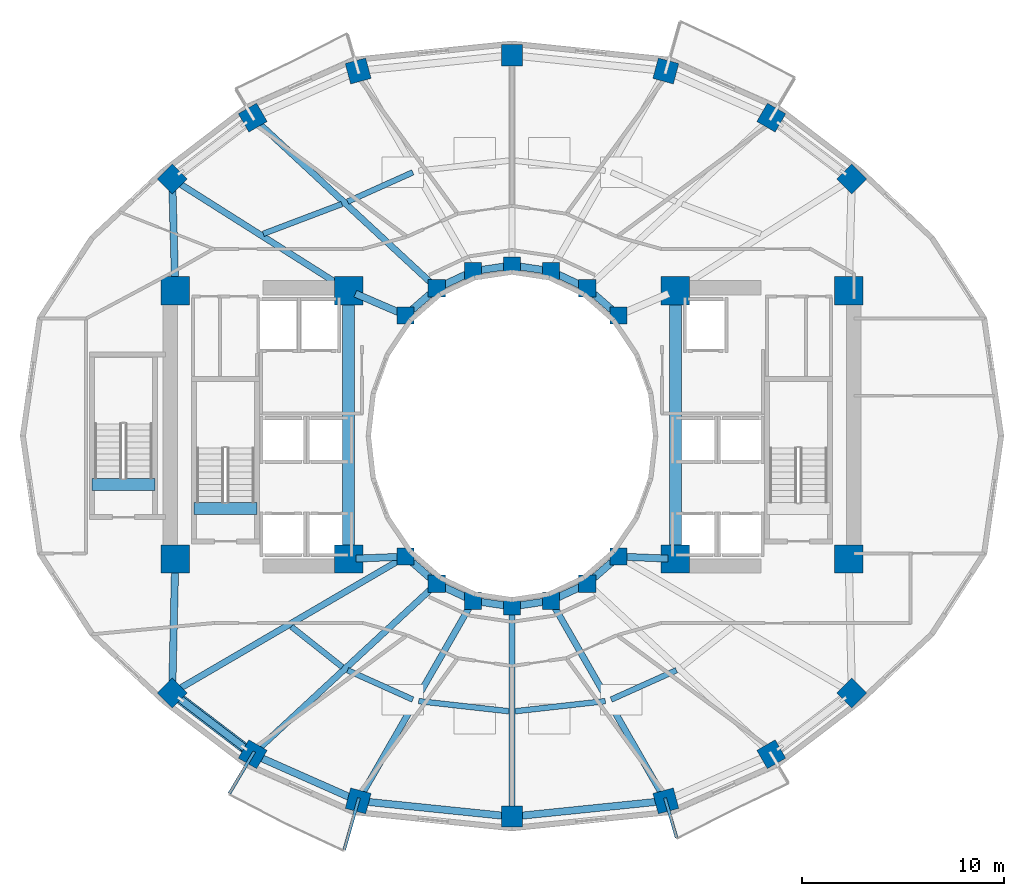
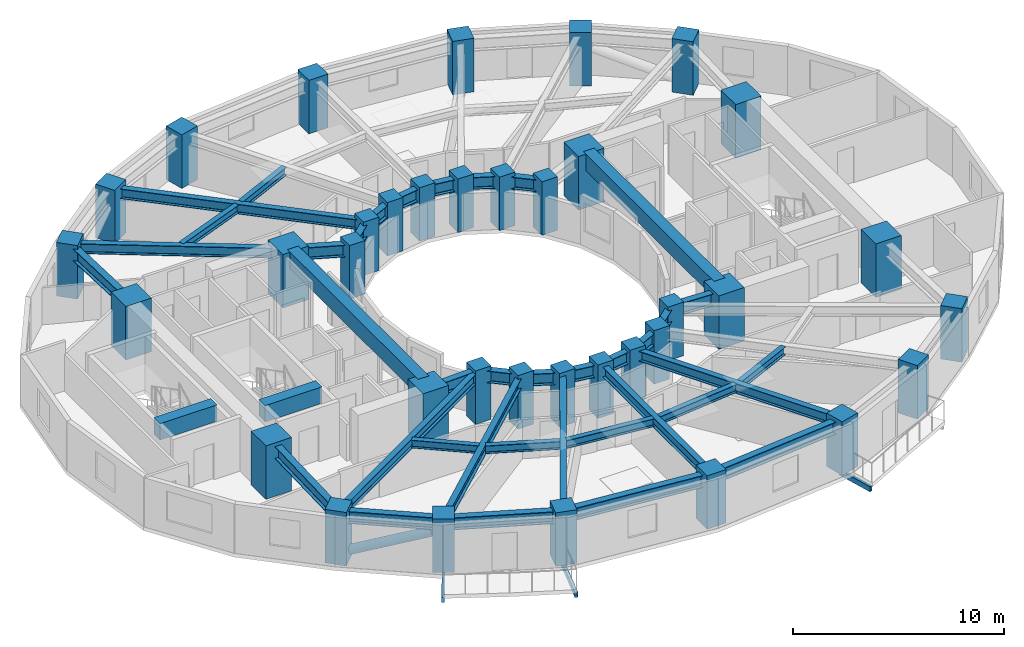
# One storey, part 1 of 10: 42 beams, 36 columns, 1 member.
"""IFC4 building model written with IfcOpenShell, lengths in metres."""

from ifc_helpers import new_model, si_unit, direction, frame, origin, origin_2d, place, context, subcontext, project, spatial, rectangle, hollow_rectangle, hollow_circle, i_section, extrude, material, material_profile, profile_set, type_object, element, save


model = new_model("IFC4")

# Units and contexts
model_context = context("Model", 3, precision=1e-05, world=origin(), true_north=direction((0.0, 1.0)))
body_context = subcontext(model_context, "Body", "Model", "MODEL_VIEW")
ifc_project = project(units=[si_unit("LENGTHUNIT", "METRE"), si_unit("AREAUNIT", "SQUARE_METRE"), si_unit("VOLUMEUNIT", "CUBIC_METRE"), si_unit("PLANEANGLEUNIT", "RADIAN"), si_unit("MASSUNIT", "GRAM", prefix="KILO")], contexts=[model_context])

# Site, building, storey
site_placement = place(None, origin())
site = spatial("IfcSite", under=ifc_project, at=site_placement, CompositionType="ELEMENT")
building_placement = place(site_placement, origin())
building = spatial("IfcBuilding", under=site, at=building_placement, Name="Solvane Sanctuary Tower", CompositionType="ELEMENT")
storey_placement = place(building_placement, frame((0.0, 0.0, 107.300048828125)))
storey = spatial("IfcBuildingStorey", under=building, at=storey_placement, Name="L32", CompositionType="ELEMENT", Elevation=107.300048828125)

# Columns
ifc_material_1 = material(Name="Concrete C70/85", Category="concrete")
ifc_material_profile_1 = material_profile(ifc_material_1, rectangle(XDim=1.39990234375, YDim=1.39990234375, at=origin_2d()), Name="RC1400X1400")
ifc_profile_set_1 = profile_set([ifc_material_profile_1], Name="Concrete C70/85")
column_type_1 = type_object("IfcColumnType", Name="Column C-POD-INT RC1400X1400", PredefinedType="COLUMN", material=ifc_profile_set_1)
for number, where, z_axis, x_axis, name in (
    (1, (15.300048828125, 16.89990234375, 0.0), (0.0, 0.0, 1.0), (1.0, 0.0, 0.0), "L32 Core Corner Column CW1"),
    (2, (23.89990234375, 16.89990234375, 0.0), (0.0, 0.0, 1.0), (1.0, 0.0, 0.0), "L32 Core Corner Column CW2"),
    (3, (23.89990234375, 30.199951171875, 0.0), (0.0, 0.0, 1.0), (1.0, 0.0, 0.0), "L32 Core Corner Column CW3"),
    (4, (15.300048828125, 30.199951171875, 0.0), (0.0, 0.0, 1.0), (1.0, 0.0, 0.0), "L32 Core Corner Column CW4"),
    (5, (40.10009765625, 16.89990234375, 0.0), (0.0, 0.0, 1.0), (1.0, 0.0, 0.0), "L32 Core Corner Column CE1"),
    (6, (48.699951171875, 16.89990234375, 0.0), (0.0, 0.0, 1.0), (1.0, 0.0, 0.0), "L32 Core Corner Column CE2"),
    (7, (48.699951171875, 30.199951171875, 0.0), (0.0, 0.0, 1.0), (1.0, 0.0, 0.0), "L32 Core Corner Column CE3"),
    (8, (40.10009765625, 30.199951171875, 0.0), (0.0, 0.0, 1.0), (1.0, 0.0, 0.0), "L32 Core Corner Column CE4"),
):
    element("IfcColumn", number, at=place(storey_placement, frame(where, z_axis=z_axis, x_axis=x_axis)), inside=storey, type_object=column_type_1, Name=name, PredefinedType="COLUMN", context=body_context, shape_type="SweptSolid", body=[
        extrude(rectangle(XDim=1.39990234375, YDim=1.39990234375, at=origin_2d()), origin(), (0.0, 0.0, 1.0), 3.099853515625),
    ])
ifc_material_2 = material(Name="Concrete C60/75", Category="concrete")
ifc_material_profile_2 = material_profile(ifc_material_2, rectangle(XDim=0.85009765625, YDim=0.85009765625, at=origin_2d()), Name="RC850X850")
ifc_profile_set_2 = profile_set([ifc_material_profile_2], Name="Concrete C60/75")
column_type_2 = type_object("IfcColumnType", Name="Column C-RING-Z2 RC850X850", PredefinedType="COLUMN", material=ifc_profile_set_2)
for number, where, z_axis, x_axis, name in (
    (9, (37.27490234375, 28.982177734375, 0.0), (0.0, 0.0, 1.0), (1.0, 0.0, 0.0), "L32 Inner Light-Well Ring Column IC01"),
    (10, (35.72998046875, 30.32666015625, 0.0), (0.0, 0.0, 1.0), (1.0, 0.0, 0.0), "L32 Inner Light-Well Ring Column IC02"),
    (11, (33.930908203125, 31.171630859375, 0.0), (0.0, 0.0, 1.0), (1.0, 0.0, 0.0), "L32 Inner Light-Well Ring Column IC03"),
    (12, (32.0, 31.4599609375, 0.0), (0.0, 0.0, 1.0), (1.0, 0.0, 0.0), "L32 Inner Light-Well Ring Column IC04"),
    (13, (30.069091796875, 31.171630859375, 0.0), (0.0, 0.0, 1.0), (1.0, 0.0, 0.0), "L32 Inner Light-Well Ring Column IC05"),
    (14, (28.27001953125, 30.32666015625, 0.0), (0.0, 0.0, 1.0), (1.0, 0.0, 0.0), "L32 Inner Light-Well Ring Column IC06"),
    (15, (26.72509765625, 28.982177734375, 0.0), (0.0, 0.0, 1.0), (1.0, 0.0, 0.0), "L32 Inner Light-Well Ring Column IC07"),
    (16, (26.72509765625, 17.017822265625, 0.0), (0.0, 0.0, 1.0), (1.0, 0.0, 0.0), "L32 Inner Light-Well Ring Column IC08"),
    (17, (28.27001953125, 15.67333984375, 0.0), (0.0, 0.0, 1.0), (1.0, 0.0, 0.0), "L32 Inner Light-Well Ring Column IC09"),
    (18, (30.069091796875, 14.828369140625, 0.0), (0.0, 0.0, 1.0), (1.0, 0.0, 0.0), "L32 Inner Light-Well Ring Column IC10"),
    (19, (32.0, 14.5400390625, 0.0), (0.0, 0.0, 1.0), (1.0, 0.0, 0.0), "L32 Inner Light-Well Ring Column IC11"),
    (20, (33.930908203125, 14.828369140625, 0.0), (0.0, 0.0, 1.0), (1.0, 0.0, 0.0), "L32 Inner Light-Well Ring Column IC12"),
    (21, (35.72998046875, 15.67333984375, 0.0), (0.0, 0.0, 1.0), (1.0, 0.0, 0.0), "L32 Inner Light-Well Ring Column IC13"),
    (22, (37.27490234375, 17.017822265625, 0.0), (0.0, 0.0, 1.0), (1.0, 0.0, 0.0), "L32 Inner Light-Well Ring Column IC14"),
):
    element("IfcColumn", number, at=place(storey_placement, frame(where, z_axis=z_axis, x_axis=x_axis)), inside=storey, type_object=column_type_2, Name=name, PredefinedType="COLUMN", context=body_context, shape_type="SweptSolid", body=[
        extrude(rectangle(XDim=0.85009765625, YDim=0.85009765625, at=origin_2d()), origin(), (0.0, 0.0, 1.0), 3.099853515625),
    ])
ifc_material_profile_3 = material_profile(ifc_material_2, rectangle(XDim=1.050048828125, YDim=1.050048828125, at=origin_2d()), Name="RC1050X1050")
ifc_profile_set_3 = profile_set([ifc_material_profile_3], Name="Concrete C60/75")
column_type_3 = type_object("IfcColumnType", Name="Column C-TUBE-Z2 RC1050X1050", PredefinedType="COLUMN", material=ifc_profile_set_3)
for number, where, z_axis, x_axis, name in (
    (23, (48.85302734375, 35.742919921875, 0.0), (0.0, 0.0, 1.0), (0.707106781187, 0.707106781187, 0.0), "L32 Perimeter Tube Column TC01"),
    (24, (44.8583984375, 38.7861328125, 0.0), (0.0, 0.0, 1.0), (0.5, 0.866025403784, 0.0), "L32 Perimeter Tube Column TC02"),
    (25, (39.62939453125, 41.10009765625, 0.0), (0.0, 0.0, 1.0), (0.258819045103, 0.965925826289, 0.0), "L32 Perimeter Tube Column TC03"),
    (26, (32.0, 41.8798828125, 0.0), (0.0, 0.0, 1.0), (0.0, 1.0, 0.0), "L32 Perimeter Tube Column TC04"),
    (27, (24.37060546875, 41.10009765625, 0.0), (0.0, 0.0, 1.0), (-0.258819045103, 0.965925826289, 0.0), "L32 Perimeter Tube Column TC05"),
    (28, (19.1416015625, 38.7861328125, 0.0), (0.0, 0.0, 1.0), (-0.5, 0.866025403784, 0.0), "L32 Perimeter Tube Column TC06"),
    (29, (15.14697265625, 35.742919921875, 0.0), (0.0, 0.0, 1.0), (-0.707106781187, 0.707106781187, 0.0), "L32 Perimeter Tube Column TC07"),
    (30, (15.14697265625, 10.257080078125, 0.0), (0.0, 0.0, 1.0), (-0.707106781187, -0.707106781187, 0.0), "L32 Perimeter Tube Column TC08"),
    (31, (19.1416015625, 7.2138671875, 0.0), (0.0, 0.0, 1.0), (-0.5, -0.866025403784, 0.0), "L32 Perimeter Tube Column TC09"),
    (32, (24.37060546875, 4.89990234375, 0.0), (0.0, 0.0, 1.0), (-0.258819045103, -0.965925826289, 0.0), "L32 Perimeter Tube Column TC10"),
    (33, (32.0, 4.1201171875, 0.0), (0.0, 0.0, 1.0), (0.0, -1.0, 0.0), "L32 Perimeter Tube Column TC11"),
    (34, (39.62939453125, 4.89990234375, 0.0), (0.0, 0.0, 1.0), (0.258819045103, -0.965925826289, 0.0), "L32 Perimeter Tube Column TC12"),
    (35, (44.8583984375, 7.2138671875, 0.0), (0.0, 0.0, 1.0), (0.5, -0.866025403784, 0.0), "L32 Perimeter Tube Column TC13"),
    (36, (48.85302734375, 10.257080078125, 0.0), (0.0, 0.0, 1.0), (0.707106781187, -0.707106781187, 0.0), "L32 Perimeter Tube Column TC14"),
):
    element("IfcColumn", number, at=place(storey_placement, frame(where, z_axis=z_axis, x_axis=x_axis)), inside=storey, type_object=column_type_3, Name=name, PredefinedType="COLUMN", context=body_context, shape_type="SweptSolid", body=[
        extrude(rectangle(XDim=1.050048828125, YDim=1.050048828125, at=origin_2d()), origin(), (0.0, 0.0, 1.0), 3.099853515625),
    ])

# Beams
ifc_material_3 = material(Name="Steel ASTM A500 Grade C", Category="steel")
ifc_material_profile_4 = material_profile(ifc_material_3, hollow_rectangle(XDim=0.14990234375, YDim=0.300048828125, WallThickness=0.010009765625, at=origin_2d()), Name="HSS300X150X10")
ifc_profile_set_4 = profile_set([ifc_material_profile_4], Name="Steel ASTM A500 Grade C")
beam_type_1 = type_object("IfcBeamType", Name="Beam B-BALC-BRK HSS300X150X10", PredefinedType="BEAM", material=ifc_profile_set_4)
beam_1_placement = place(storey_placement, frame((19.21826171875, 7.3427734375, -0.3720703125), z_axis=(-0.510772423224, -0.859715959881, 0.0), x_axis=(0.859715959881, -0.510772423224, 0.0)))
element("IfcBeam", 37, at=beam_1_placement, inside=storey, type_object=beam_type_1, Name="L32 Balcony Bracket S1-1", PredefinedType="BEAM", context=body_context, shape_type="SweptSolid", body=[
    extrude(hollow_rectangle(XDim=0.14990234375, YDim=0.300048828125, WallThickness=0.010009765625, at=origin_2d()), origin(), (0.0, 0.0, 1.0), 2.413818359375),
])
beam_2_placement = place(storey_placement, frame((24.411865234375, 5.044189453125, -0.3720703125), z_axis=(-0.274985867497, -0.961448268331, 0.0), x_axis=(0.961448268331, -0.274985867497, 0.0)))
element("IfcBeam", 38, at=beam_2_placement, inside=storey, type_object=beam_type_1, Name="L32 Balcony Bracket S1-2", PredefinedType="BEAM", context=body_context, shape_type="SweptSolid", body=[
    extrude(hollow_rectangle(XDim=0.14990234375, YDim=0.300048828125, WallThickness=0.010009765625, at=origin_2d()), origin(), (0.0, 0.0, 1.0), 2.679443359375),
])
beam_3_placement = place(storey_placement, frame((39.58740234375, 5.0439453125, -0.3720703125), z_axis=(0.280114379044, -0.959966632052, 0.0), x_axis=(0.959966632052, 0.280114379044, 0.0)))
element("IfcBeam", 39, at=beam_3_placement, inside=storey, type_object=beam_type_1, Name="L32 Balcony Bracket S2-1", PredefinedType="BEAM", context=body_context, shape_type="SweptSolid", body=[
    extrude(hollow_rectangle(XDim=0.14990234375, YDim=0.300048828125, WallThickness=0.010009765625, at=origin_2d()), origin(), (0.0, 0.0, 1.0), 2.049072265625),
])
ifc_material_profile_5 = material_profile(ifc_material_1, rectangle(XDim=0.60009765625, YDim=0.949951171875, at=origin_2d()), Name="RC600X950")
ifc_profile_set_5 = profile_set([ifc_material_profile_5], Name="Concrete C70/85")
beam_type_2 = type_object("IfcBeamType", Name="Beam B-COUPLE RC600X950", PredefinedType="LINTEL", material=ifc_profile_set_5)
for number, where, z_axis, x_axis, name in (
    (40, (23.89990234375, 17.35009765625, 2.625), (0.0, 1.0, 0.0), (-1.0, 0.0, 0.0), "L32 West Core Coupling Lintel"),
    (41, (40.10009765625, 17.35009765625, 2.625), (0.0, 1.0, 0.0), (-1.0, 0.0, 0.0), "L32 East Core Coupling Lintel"),
):
    element("IfcBeam", number, at=place(storey_placement, frame(where, z_axis=z_axis, x_axis=x_axis)), inside=storey, type_object=beam_type_2, Name=name, PredefinedType="LINTEL", context=body_context, shape_type="SweptSolid", body=[
        extrude(rectangle(XDim=0.60009765625, YDim=0.949951171875, at=origin_2d()), origin(), (0.0, 0.0, 1.0), 12.39990234375),
    ])
for number, where, z_axis, x_axis, name in (
    (42, (16.22998046875, 19.399169921875, 2.625), (1.0, 0.0, 0.0), (0.0, 1.0, 0.0), "L32 ST-1 Stair Floor Landing Trimmer"),
    (43, (11.169921875, 20.59912109375, 2.625), (1.0, 0.0, 0.0), (0.0, 1.0, 0.0), "L32 ST-3 Stair Floor Landing Trimmer"),
):
    element("IfcBeam", number, at=place(storey_placement, frame(where, z_axis=z_axis, x_axis=x_axis)), inside=storey, type_object=beam_type_2, Name=name, PredefinedType="LINTEL", context=body_context, shape_type="SweptSolid", body=[
        extrude(rectangle(XDim=0.60009765625, YDim=0.949951171875, at=origin_2d()), origin(), (0.0, 0.0, 1.0), 3.1201171875),
    ])
ifc_material_4 = material(Name="Steel ASTM A992 Grade 50", Category="steel")
ifc_material_profile_6 = material_profile(ifc_material_4, i_section(OverallWidth=0.31494140625, OverallDepth=0.575927734375, WebThickness=0.01513671875, FlangeThickness=0.0244140625, FilletRadius=0.014892578125, at=origin_2d()), Name="W21X122")
ifc_profile_set_6 = profile_set([ifc_material_profile_6], Name="Steel ASTM A992 Grade 50")
beam_type_3 = type_object("IfcBeamType", Name="Beam B-RAD-Z2 W21X122", PredefinedType="BEAM", material=ifc_profile_set_6)
beam_4_placement = place(storey_placement, frame((28.064697265625, 30.516845703125, 2.58984375), z_axis=(-0.733453775248, 0.679739332078, 0.0), x_axis=(-0.679739332078, -0.733453775248, 0.0)))
element("IfcBeam", 44, at=beam_4_placement, inside=storey, type_object=beam_type_3, Name="L32 Radial Composite Floor Beam 06", PredefinedType="BEAM", context=body_context, shape_type="SweptSolid", body=[
    extrude(i_section(OverallWidth=0.31494140625, OverallDepth=0.575927734375, WebThickness=0.01513671875, FlangeThickness=0.0244140625, FilletRadius=0.014892578125, at=origin_2d()), origin(), (0.0, 0.0, 1.0), 11.885498046875),
])
beam_5_placement = place(storey_placement, frame((23.595947265625, 30.392578125, 2.58984375), z_axis=(-0.844853889678, 0.534997107558, 0.0), x_axis=(-0.534997107558, -0.844853889678, 0.0)))
element("IfcBeam", 45, at=beam_5_placement, inside=storey, type_object=beam_type_3, Name="L32 Radial Composite Floor Beam 07", PredefinedType="BEAM", context=body_context, shape_type="SweptSolid", body=[
    extrude(i_section(OverallWidth=0.31494140625, OverallDepth=0.575927734375, WebThickness=0.01513671875, FlangeThickness=0.0244140625, FilletRadius=0.014892578125, at=origin_2d()), origin(), (0.0, 0.0, 1.0), 9.720458984375),
])
beam_6_placement = place(storey_placement, frame((26.483154296875, 16.876708984375, 2.58984375), z_axis=(-0.863554121542, -0.504256164234, 0.0), x_axis=(0.504256164234, -0.863554121542, 0.0)))
element("IfcBeam", 46, at=beam_6_placement, inside=storey, type_object=beam_type_3, Name="L32 Radial Composite Floor Beam 08", PredefinedType="BEAM", context=body_context, shape_type="SweptSolid", body=[
    extrude(i_section(OverallWidth=0.31494140625, OverallDepth=0.575927734375, WebThickness=0.01513671875, FlangeThickness=0.0244140625, FilletRadius=0.014892578125, at=origin_2d()), origin(), (0.0, 0.0, 1.0), 12.84716796875),
])
beam_7_placement = place(storey_placement, frame((28.064697265625, 15.483154296875, 2.58984375), z_axis=(-0.733453775248, -0.679739332078, 0.0), x_axis=(0.679739332078, -0.733453775248, 0.0)))
element("IfcBeam", 47, at=beam_7_placement, inside=storey, type_object=beam_type_3, Name="L32 Radial Composite Floor Beam 09", PredefinedType="BEAM", context=body_context, shape_type="SweptSolid", body=[
    extrude(i_section(OverallWidth=0.31494140625, OverallDepth=0.575927734375, WebThickness=0.01513671875, FlangeThickness=0.0244140625, FilletRadius=0.014892578125, at=origin_2d()), origin(), (0.0, 0.0, 1.0), 11.885498046875),
])
beam_8_placement = place(storey_placement, frame((29.9296875, 14.58544921875, 2.58984375), z_axis=(-0.497792245326, -0.8672963049, 0.0), x_axis=(0.8672963049, -0.497792245326, 0.0)))
element("IfcBeam", 48, at=beam_8_placement, inside=storey, type_object=beam_type_3, Name="L32 Radial Composite Floor Beam 10", PredefinedType="BEAM", context=body_context, shape_type="SweptSolid", body=[
    extrude(i_section(OverallWidth=0.31494140625, OverallDepth=0.575927734375, WebThickness=0.01513671875, FlangeThickness=0.0244140625, FilletRadius=0.014892578125, at=origin_2d()), origin(), (0.0, 0.0, 1.0), 10.887451171875),
])
beam_9_placement = place(storey_placement, frame((32.0, 14.260009765625, 2.58984375), z_axis=(0.0, -1.0, 0.0), x_axis=(1.0, 0.0, 0.0)))
element("IfcBeam", 49, at=beam_9_placement, inside=storey, type_object=beam_type_3, Name="L32 Radial Composite Floor Beam 11", PredefinedType="BEAM", context=body_context, shape_type="SweptSolid", body=[
    extrude(i_section(OverallWidth=0.31494140625, OverallDepth=0.575927734375, WebThickness=0.01513671875, FlangeThickness=0.0244140625, FilletRadius=0.014892578125, at=origin_2d()), origin(), (0.0, 0.0, 1.0), 9.860107421875),
])
beam_10_placement = place(storey_placement, frame((34.0703125, 14.58544921875, 2.58984375), z_axis=(0.497792245326, -0.8672963049, 0.0), x_axis=(0.8672963049, 0.497792245326, 0.0)))
element("IfcBeam", 50, at=beam_10_placement, inside=storey, type_object=beam_type_3, Name="L32 Radial Composite Floor Beam 12", PredefinedType="BEAM", context=body_context, shape_type="SweptSolid", body=[
    extrude(i_section(OverallWidth=0.31494140625, OverallDepth=0.575927734375, WebThickness=0.01513671875, FlangeThickness=0.0244140625, FilletRadius=0.014892578125, at=origin_2d()), origin(), (0.0, 0.0, 1.0), 10.887451171875),
])
ifc_material_profile_7 = material_profile(ifc_material_4, i_section(OverallWidth=0.35498046875, OverallDepth=0.695068359375, WebThickness=0.015380859375, FlangeThickness=0.02490234375, FilletRadius=0.01806640625, at=origin_2d()), Name="W27X146")
ifc_profile_set_7 = profile_set([ifc_material_profile_7], Name="Steel ASTM A992 Grade 50")
beam_type_4 = type_object("IfcBeamType", Name="Beam B-RING-IN1 W27X146", PredefinedType="BEAM", material=ifc_profile_set_7)
beam_11_placement = place(storey_placement, frame((24.230712890625, 30.0576171875, 2.530517578125), z_axis=(0.918261456479, -0.3959746173, 0.0), x_axis=(0.3959746173, 0.918261456479, 0.0)))
element("IfcBeam", 51, at=beam_11_placement, inside=storey, type_object=beam_type_4, Name="L32 Inner Light-Well Ring Beam CW3-IC07", PredefinedType="BEAM", context=body_context, shape_type="SweptSolid", body=[
    extrude(i_section(OverallWidth=0.35498046875, OverallDepth=0.695068359375, WebThickness=0.015380859375, FlangeThickness=0.02490234375, FilletRadius=0.01806640625, at=origin_2d()), origin(), (0.0, 0.0, 1.0), 2.3212890625),
])
beam_12_placement = place(storey_placement, frame((27.02294921875, 29.241455078125, 2.530517578125), z_axis=(0.754317177099, 0.656510164684, 0.0), x_axis=(-0.656510164684, 0.754317177099, 0.0)))
element("IfcBeam", 52, at=beam_12_placement, inside=storey, type_object=beam_type_4, Name="L32 Inner Light-Well Ring Beam IC07-IC06", PredefinedType="BEAM", context=body_context, shape_type="SweptSolid", body=[
    extrude(i_section(OverallWidth=0.35498046875, OverallDepth=0.695068359375, WebThickness=0.015380859375, FlangeThickness=0.02490234375, FilletRadius=0.01806640625, at=origin_2d()), origin(), (0.0, 0.0, 1.0), 1.258056640625),
])
beam_13_placement = place(storey_placement, frame((28.62744140625, 30.494384765625, 2.530517578125), z_axis=(0.905044882818, 0.425316070804, 0.0), x_axis=(-0.425316070804, 0.905044882818, 0.0)))
element("IfcBeam", 53, at=beam_13_placement, inside=storey, type_object=beam_type_4, Name="L32 Inner Light-Well Ring Beam IC06-IC05", PredefinedType="BEAM", context=body_context, shape_type="SweptSolid", body=[
    extrude(i_section(OverallWidth=0.35498046875, OverallDepth=0.695068359375, WebThickness=0.015380859375, FlangeThickness=0.02490234375, FilletRadius=0.01806640625, at=origin_2d()), origin(), (0.0, 0.0, 1.0), 1.197998046875),
])
for number, where, z_axis, x_axis, name in (
    (54, (30.4599609375, 31.22998046875, 2.530517578125), (0.989034751611, 0.147682971619, 0.0), (-0.147682971619, 0.989034751611, 0.0), "L32 Inner Light-Well Ring Beam IC05-IC04"),
    (55, (32.390625, 31.401611328125, 2.530517578125), (0.989034751611, -0.147682971619, 0.0), (0.147682971619, 0.989034751611, 0.0), "L32 Inner Light-Well Ring Beam IC04-IC03"),
):
    element("IfcBeam", number, at=place(storey_placement, frame(where, z_axis=z_axis, x_axis=x_axis)), inside=storey, type_object=beam_type_4, Name=name, PredefinedType="BEAM", context=body_context, shape_type="SweptSolid", body=[
        extrude(i_section(OverallWidth=0.35498046875, OverallDepth=0.695068359375, WebThickness=0.015380859375, FlangeThickness=0.02490234375, FilletRadius=0.01806640625, at=origin_2d()), origin(), (0.0, 0.0, 1.0), 1.162109375),
    ])
beam_14_placement = place(storey_placement, frame((34.288330078125, 31.00390625, 2.530517578125), z_axis=(0.905044882818, -0.425316070804, 0.0), x_axis=(0.425316070804, 0.905044882818, 0.0)))
element("IfcBeam", 56, at=beam_14_placement, inside=storey, type_object=beam_type_4, Name="L32 Inner Light-Well Ring Beam IC03-IC02", PredefinedType="BEAM", context=body_context, shape_type="SweptSolid", body=[
    extrude(i_section(OverallWidth=0.35498046875, OverallDepth=0.695068359375, WebThickness=0.015380859375, FlangeThickness=0.02490234375, FilletRadius=0.01806640625, at=origin_2d()), origin(), (0.0, 0.0, 1.0), 1.197998046875),
])
beam_15_placement = place(storey_placement, frame((36.028076171875, 30.0673828125, 2.530517578125), z_axis=(0.754317177099, -0.656510164684, 0.0), x_axis=(0.656510164684, 0.754317177099, 0.0)))
element("IfcBeam", 57, at=beam_15_placement, inside=storey, type_object=beam_type_4, Name="L32 Inner Light-Well Ring Beam IC02-IC01", PredefinedType="BEAM", context=body_context, shape_type="SweptSolid", body=[
    extrude(i_section(OverallWidth=0.35498046875, OverallDepth=0.695068359375, WebThickness=0.015380859375, FlangeThickness=0.02490234375, FilletRadius=0.01806640625, at=origin_2d()), origin(), (0.0, 0.0, 1.0), 1.258056640625),
])
beam_16_placement = place(storey_placement, frame((24.259765625, 16.9150390625, 2.530517578125), z_axis=(0.999130007788, 0.041704047018, 0.0), x_axis=(-0.041704047018, 0.999130007788, 0.0)))
element("IfcBeam", 58, at=beam_16_placement, inside=storey, type_object=beam_type_4, Name="L32 Inner Light-Well Ring Beam CW2-IC08", PredefinedType="BEAM", context=body_context, shape_type="SweptSolid", body=[
    extrude(i_section(OverallWidth=0.35498046875, OverallDepth=0.695068359375, WebThickness=0.015380859375, FlangeThickness=0.02490234375, FilletRadius=0.01806640625, at=origin_2d()), origin(), (0.0, 0.0, 1.0), 2.072265625),
])
beam_17_placement = place(storey_placement, frame((27.02294921875, 16.758544921875, 2.530517578125), z_axis=(0.754317177099, -0.656510164684, 0.0), x_axis=(0.656510164684, 0.754317177099, 0.0)))
element("IfcBeam", 59, at=beam_17_placement, inside=storey, type_object=beam_type_4, Name="L32 Inner Light-Well Ring Beam IC08-IC09", PredefinedType="BEAM", context=body_context, shape_type="SweptSolid", body=[
    extrude(i_section(OverallWidth=0.35498046875, OverallDepth=0.695068359375, WebThickness=0.015380859375, FlangeThickness=0.02490234375, FilletRadius=0.01806640625, at=origin_2d()), origin(), (0.0, 0.0, 1.0), 1.258056640625),
])
beam_18_placement = place(storey_placement, frame((28.62744140625, 15.505615234375, 2.530517578125), z_axis=(0.905044882818, -0.425316070804, 0.0), x_axis=(0.425316070804, 0.905044882818, 0.0)))
element("IfcBeam", 60, at=beam_18_placement, inside=storey, type_object=beam_type_4, Name="L32 Inner Light-Well Ring Beam IC09-IC10", PredefinedType="BEAM", context=body_context, shape_type="SweptSolid", body=[
    extrude(i_section(OverallWidth=0.35498046875, OverallDepth=0.695068359375, WebThickness=0.015380859375, FlangeThickness=0.02490234375, FilletRadius=0.01806640625, at=origin_2d()), origin(), (0.0, 0.0, 1.0), 1.197998046875),
])
for number, where, z_axis, x_axis, name in (
    (61, (30.4599609375, 14.77001953125, 2.530517578125), (0.989034751611, -0.147682971619, 0.0), (0.147682971619, 0.989034751611, 0.0), "L32 Inner Light-Well Ring Beam IC10-IC11"),
    (62, (32.390625, 14.598388671875, 2.530517578125), (0.989034751611, 0.147682971619, 0.0), (-0.147682971619, 0.989034751611, 0.0), "L32 Inner Light-Well Ring Beam IC11-IC12"),
):
    element("IfcBeam", number, at=place(storey_placement, frame(where, z_axis=z_axis, x_axis=x_axis)), inside=storey, type_object=beam_type_4, Name=name, PredefinedType="BEAM", context=body_context, shape_type="SweptSolid", body=[
        extrude(i_section(OverallWidth=0.35498046875, OverallDepth=0.695068359375, WebThickness=0.015380859375, FlangeThickness=0.02490234375, FilletRadius=0.01806640625, at=origin_2d()), origin(), (0.0, 0.0, 1.0), 1.162109375),
    ])
beam_19_placement = place(storey_placement, frame((34.288330078125, 14.99609375, 2.530517578125), z_axis=(0.905044882818, 0.425316070804, 0.0), x_axis=(-0.425316070804, 0.905044882818, 0.0)))
element("IfcBeam", 63, at=beam_19_placement, inside=storey, type_object=beam_type_4, Name="L32 Inner Light-Well Ring Beam IC12-IC13", PredefinedType="BEAM", context=body_context, shape_type="SweptSolid", body=[
    extrude(i_section(OverallWidth=0.35498046875, OverallDepth=0.695068359375, WebThickness=0.015380859375, FlangeThickness=0.02490234375, FilletRadius=0.01806640625, at=origin_2d()), origin(), (0.0, 0.0, 1.0), 1.197998046875),
])
beam_20_placement = place(storey_placement, frame((36.028076171875, 15.9326171875, 2.530517578125), z_axis=(0.754317177099, 0.656510164684, 0.0), x_axis=(-0.656510164684, 0.754317177099, 0.0)))
element("IfcBeam", 64, at=beam_20_placement, inside=storey, type_object=beam_type_4, Name="L32 Inner Light-Well Ring Beam IC13-IC14", PredefinedType="BEAM", context=body_context, shape_type="SweptSolid", body=[
    extrude(i_section(OverallWidth=0.35498046875, OverallDepth=0.695068359375, WebThickness=0.015380859375, FlangeThickness=0.02490234375, FilletRadius=0.01806640625, at=origin_2d()), origin(), (0.0, 0.0, 1.0), 1.258056640625),
])
beam_21_placement = place(storey_placement, frame((37.669677734375, 17.00146484375, 2.530517578125), z_axis=(0.999130007788, -0.041704047018, 0.0), x_axis=(0.041704047018, 0.999130007788, 0.0)))
element("IfcBeam", 65, at=beam_21_placement, inside=storey, type_object=beam_type_4, Name="L32 Inner Light-Well Ring Beam IC14-CE1", PredefinedType="BEAM", context=body_context, shape_type="SweptSolid", body=[
    extrude(i_section(OverallWidth=0.35498046875, OverallDepth=0.695068359375, WebThickness=0.015380859375, FlangeThickness=0.02490234375, FilletRadius=0.01806640625, at=origin_2d()), origin(), (0.0, 0.0, 1.0), 2.072265625),
])
ifc_material_profile_8 = material_profile(ifc_material_4, i_section(OverallWidth=0.280029296875, OverallDepth=0.462890625, WebThickness=0.0107421875, FlangeThickness=0.017333984375, FilletRadius=0.013916015625, at=origin_2d()), Name="W18X76")
ifc_profile_set_8 = profile_set([ifc_material_profile_8], Name="Steel ASTM A992 Grade 50")
beam_type_5 = type_object("IfcBeamType", Name="Beam B-SEC-JOIST W18X76", PredefinedType="JOIST", material=ifc_profile_set_8)
beam_22_placement = place(storey_placement, frame((19.666015625, 33.025390625, 2.646484375), z_axis=(0.93509327646, 0.354401699091, 0.0), x_axis=(-0.354401699091, 0.93509327646, 0.0)))
element("IfcBeam", 66, at=beam_22_placement, inside=storey, type_object=beam_type_5, Name="L32 Secondary Circumferential Joist 07-06", PredefinedType="JOIST", context=body_context, shape_type="SweptSolid", body=[
    extrude(i_section(OverallWidth=0.280029296875, OverallDepth=0.462890625, WebThickness=0.0107421875, FlangeThickness=0.017333984375, FilletRadius=0.013916015625, at=origin_2d()), origin(), (0.0, 0.0, 1.0), 4.167724609375),
])
beam_23_placement = place(storey_placement, frame((23.844970703125, 34.618896484375, 2.646484375), z_axis=(0.912083673068, 0.410004113787, 0.0), x_axis=(-0.410004113787, 0.912083673068, 0.0)))
element("IfcBeam", 67, at=beam_23_placement, inside=storey, type_object=beam_type_5, Name="L32 Secondary Circumferential Joist 06-05", PredefinedType="JOIST", context=body_context, shape_type="SweptSolid", body=[
    extrude(i_section(OverallWidth=0.280029296875, OverallDepth=0.462890625, WebThickness=0.0107421875, FlangeThickness=0.017333984375, FilletRadius=0.013916015625, at=origin_2d()), origin(), (0.0, 0.0, 1.0), 3.5478515625),
])
beam_24_placement = place(storey_placement, frame((21.055419921875, 13.54296875, 2.646484375), z_axis=(0.783877123324, -0.620915981055, 0.0), x_axis=(0.620915981055, 0.783877123324, 0.0)))
element("IfcBeam", 68, at=beam_24_placement, inside=storey, type_object=beam_type_5, Name="L32 Secondary Circumferential Joist 08-09", PredefinedType="JOIST", context=body_context, shape_type="SweptSolid", body=[
    extrude(i_section(OverallWidth=0.280029296875, OverallDepth=0.462890625, WebThickness=0.0107421875, FlangeThickness=0.017333984375, FilletRadius=0.013916015625, at=origin_2d()), origin(), (0.0, 0.0, 1.0), 3.228515625),
])
beam_25_placement = place(storey_placement, frame((23.844970703125, 11.381103515625, 2.646484375), z_axis=(0.912109406194, -0.409946863792, 0.0), x_axis=(0.409946863792, 0.912109406194, 0.0)))
element("IfcBeam", 69, at=beam_25_placement, inside=storey, type_object=beam_type_5, Name="L32 Secondary Circumferential Joist 09-10", PredefinedType="JOIST", context=body_context, shape_type="SweptSolid", body=[
    extrude(i_section(OverallWidth=0.280029296875, OverallDepth=0.462890625, WebThickness=0.0107421875, FlangeThickness=0.017333984375, FilletRadius=0.013916015625, at=origin_2d()), origin(), (0.0, 0.0, 1.0), 3.547607421875),
])
for number, where, z_axis, x_axis, name in (
    (70, (27.37158203125, 9.847412109375, 2.646484375), (0.993808821383, -0.111103674747, 0.0), (0.111103674747, 0.993808821383, 0.0), "L32 Secondary Circumferential Joist 10-11"),
    (71, (32.151611328125, 9.346923828125, 2.646484375), (0.993808821383, 0.111103674747, 0.0), (-0.111103674747, 0.993808821383, 0.0), "L32 Secondary Circumferential Joist 11-12"),
):
    element("IfcBeam", number, at=place(storey_placement, frame(where, z_axis=z_axis, x_axis=x_axis)), inside=storey, type_object=beam_type_5, Name=name, PredefinedType="JOIST", context=body_context, shape_type="SweptSolid", body=[
        extrude(i_section(OverallWidth=0.280029296875, OverallDepth=0.462890625, WebThickness=0.0107421875, FlangeThickness=0.017333984375, FilletRadius=0.013916015625, at=origin_2d()), origin(), (0.0, 0.0, 1.0), 4.504638671875),
    ])
beam_26_placement = place(storey_placement, frame((36.919189453125, 9.9267578125, 2.646484375), z_axis=(0.912109406194, 0.409946863792, 0.0), x_axis=(-0.409946863792, 0.912109406194, 0.0)))
element("IfcBeam", 72, at=beam_26_placement, inside=storey, type_object=beam_type_5, Name="L32 Secondary Circumferential Joist 12-13", PredefinedType="JOIST", context=body_context, shape_type="SweptSolid", body=[
    extrude(i_section(OverallWidth=0.280029296875, OverallDepth=0.462890625, WebThickness=0.0107421875, FlangeThickness=0.017333984375, FilletRadius=0.013916015625, at=origin_2d()), origin(), (0.0, 0.0, 1.0), 3.547607421875),
])
ifc_material_profile_9 = material_profile(ifc_material_4, i_section(OverallWidth=0.35791015625, OverallDepth=0.7060546875, WebThickness=0.018310546875, FlangeThickness=0.0302734375, FilletRadius=0.01806640625, at=origin_2d()), Name="W27X178")
ifc_profile_set_9 = profile_set([ifc_material_profile_9], Name="Steel ASTM A992 Grade 50")
beam_type_6 = type_object("IfcBeamType", Name="Beam B-SPAND-Z2 W27X178", PredefinedType="SPANDREL", material=ifc_profile_set_9)
beam_27_placement = place(storey_placement, frame((15.292236328125, 30.47998046875, 2.52490234375), z_axis=(-0.027574028772, 0.999619764179, 0.0), x_axis=(-0.999619764179, -0.027574028772, 0.0)))
element("IfcBeam", 73, at=beam_27_placement, inside=storey, type_object=beam_type_6, Name="L32 Perimeter Spandrel Beam CW4-TC07", PredefinedType="SPANDREL", context=body_context, shape_type="SweptSolid", body=[
    extrude(i_section(OverallWidth=0.35791015625, OverallDepth=0.7060546875, WebThickness=0.018310546875, FlangeThickness=0.0302734375, FilletRadius=0.01806640625, at=origin_2d()), origin(), (0.0, 0.0, 1.0), 4.98486328125),
])
beam_28_placement = place(storey_placement, frame((15.293701171875, 16.6201171875, 2.52490234375), z_axis=(-0.023071397754, -0.999733819877, 0.0), x_axis=(0.999733819877, -0.023071397754, 0.0)))
element("IfcBeam", 74, at=beam_28_placement, inside=storey, type_object=beam_type_6, Name="L32 Perimeter Spandrel Beam CW1-TC08", PredefinedType="SPANDREL", context=body_context, shape_type="SweptSolid", body=[
    extrude(i_section(OverallWidth=0.35791015625, OverallDepth=0.7060546875, WebThickness=0.018310546875, FlangeThickness=0.0302734375, FilletRadius=0.01806640625, at=origin_2d()), origin(), (0.0, 0.0, 1.0), 6.084716796875),
])
beam_29_placement = place(storey_placement, frame((15.36962890625, 10.08740234375, 2.52490234375), z_axis=(0.795473167932, -0.605988811036, 0.0), x_axis=(0.605988811036, 0.795473167932, 0.0)))
element("IfcBeam", 75, at=beam_29_placement, inside=storey, type_object=beam_type_6, Name="L32 Perimeter Spandrel Beam TC08-TC09", PredefinedType="SPANDREL", context=body_context, shape_type="SweptSolid", body=[
    extrude(i_section(OverallWidth=0.35791015625, OverallDepth=0.7060546875, WebThickness=0.018310546875, FlangeThickness=0.0302734375, FilletRadius=0.01806640625, at=origin_2d()), origin(), (0.0, 0.0, 1.0), 4.4619140625),
])
beam_30_placement = place(storey_placement, frame((19.397705078125, 7.1005859375, 2.52490234375), z_axis=(0.914454505181, -0.404688717355, 0.0), x_axis=(0.404688717355, 0.914454505181, 0.0)))
element("IfcBeam", 76, at=beam_30_placement, inside=storey, type_object=beam_type_6, Name="L32 Perimeter Spandrel Beam TC09-TC10", PredefinedType="SPANDREL", context=body_context, shape_type="SweptSolid", body=[
    extrude(i_section(OverallWidth=0.35791015625, OverallDepth=0.7060546875, WebThickness=0.018310546875, FlangeThickness=0.0302734375, FilletRadius=0.01806640625, at=origin_2d()), origin(), (0.0, 0.0, 1.0), 5.157958984375),
])
for number, where, z_axis, x_axis, name in (
    (77, (24.649169921875, 4.87158203125, 2.52490234375), (0.994813029025, -0.101720387737, 0.0), (0.101720387737, 0.994813029025, 0.0), "L32 Perimeter Spandrel Beam TC10-TC11"),
    (78, (32.278564453125, 4.1484375, 2.52490234375), (0.994813029025, 0.101720387737, 0.0), (-0.101720387737, 0.994813029025, 0.0), "L32 Perimeter Spandrel Beam TC11-TC12"),
):
    element("IfcBeam", number, at=place(storey_placement, frame(where, z_axis=z_axis, x_axis=x_axis)), inside=storey, type_object=beam_type_6, Name=name, PredefinedType="SPANDREL", context=body_context, shape_type="SweptSolid", body=[
        extrude(i_section(OverallWidth=0.35791015625, OverallDepth=0.7060546875, WebThickness=0.018310546875, FlangeThickness=0.0302734375, FilletRadius=0.01806640625, at=origin_2d()), origin(), (0.0, 0.0, 1.0), 7.109130859375),
    ])

# Member
ifc_material_profile_10 = material_profile(ifc_material_4, hollow_circle(Radius=0.25390625, WallThickness=0.01611328125, at=origin_2d()), Name="CHS508X16")
ifc_profile_set_10 = profile_set([ifc_material_profile_10], Name="Steel ASTM A992 Grade 50")
member_type = type_object("IfcMemberType", Name="Member M-TUBE-Z2 CHS508X16", PredefinedType="BRACE", material=ifc_profile_set_10)
member_placement = place(storey_placement, frame((15.575927734375, 9.930419921875, 0.572265625), z_axis=(0.749170118041, -0.570768517947, 0.336106282529), x_axis=(0.606024564443, 0.795445929836, 0.0)))
element("IfcMember", 79, at=member_placement, inside=storey, type_object=member_type, Name="L32 Perimeter Braced-Tube Diagonal SW", PredefinedType="BRACE", context=body_context, shape_type="SweptSolid", body=[
    extrude(hollow_circle(Radius=0.25390625, WallThickness=0.01611328125, at=origin_2d()), origin(), (0.0, 0.0, 1.0), 4.1875),
])

save(model, "model.ifc")
